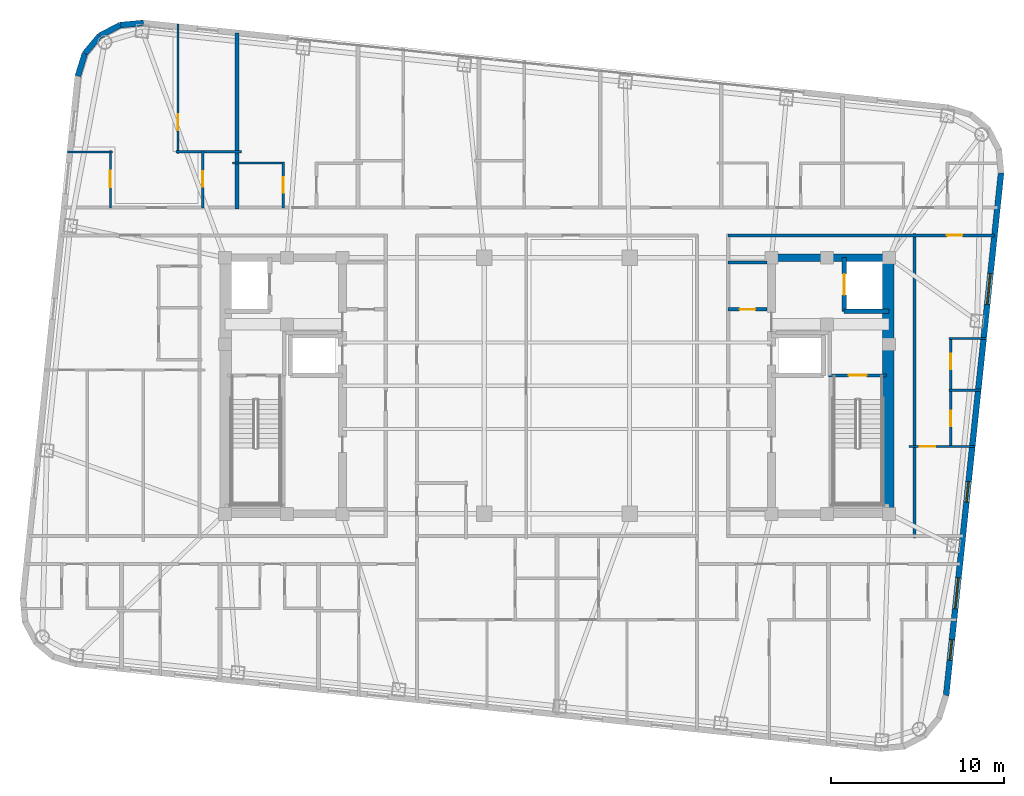
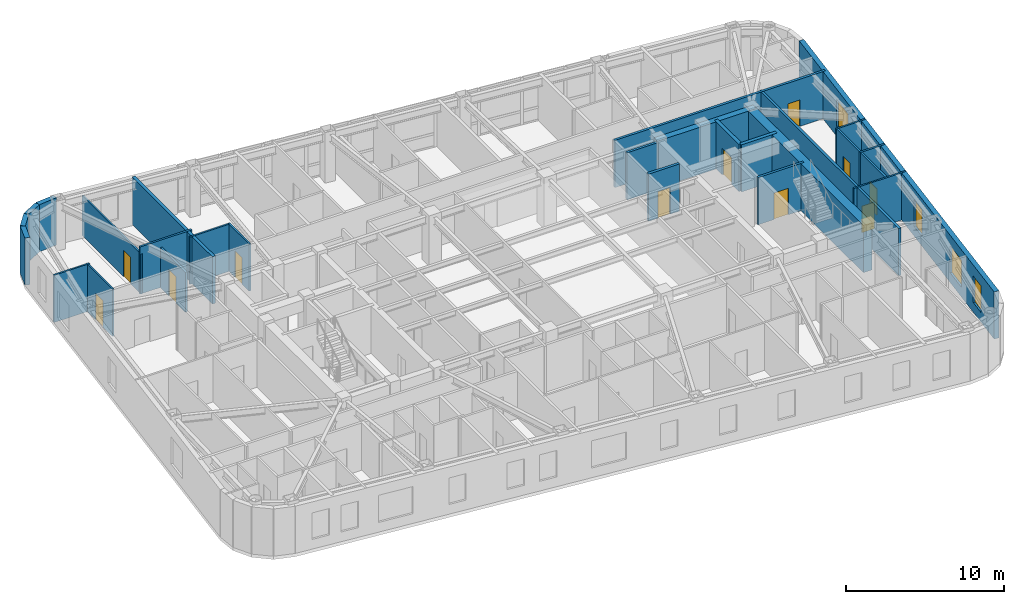
# One storey, part 12 of 16: 27 walls, 11 doors, 4 windows, 15 openings.
"""IFC4 building model written with IfcOpenShell, lengths in metres."""

from ifc_helpers import new_model, si_unit, direction, frame, frame_2d, origin, place, context, subcontext, project, spatial, rectangle, extrude, material, layer, layer_set, type_object, element, fill, save


model = new_model("IFC4")

# Units and contexts
model_context = context("Model", 3, precision=1e-05, world=origin(), true_north=direction((0.0, 1.0)))
body_context = subcontext(model_context, "Body", "Model", "MODEL_VIEW")
ifc_project = project(units=[si_unit("LENGTHUNIT", "METRE"), si_unit("AREAUNIT", "SQUARE_METRE"), si_unit("VOLUMEUNIT", "CUBIC_METRE"), si_unit("PLANEANGLEUNIT", "RADIAN"), si_unit("MASSUNIT", "GRAM", prefix="KILO")], contexts=[model_context])

# Site, building, storey
site_placement = place(None, origin())
site = spatial("IfcSite", under=ifc_project, at=site_placement, CompositionType="ELEMENT")
building_placement = place(site_placement, origin())
building = spatial("IfcBuilding", under=site, at=building_placement, Name="Voryun Gate Residences", CompositionType="ELEMENT")
storey_placement = place(building_placement, frame((0.0, 0.0, 267.800048828125)))
storey = spatial("IfcBuildingStorey", under=building, at=storey_placement, Name="L66", CompositionType="ELEMENT", Elevation=267.800048828125)

# Walls
ifc_material_1 = material(Name="Concrete C50/60", Category="concrete")
ifc_layer_1 = layer(ifc_material_1, 0.449951171875, Name="CW_CORE_450")
ifc_layer_set_1 = layer_set([ifc_layer_1], Name="Concrete C50/60")
wall_type_1 = type_object("IfcWallType", Name="CW_CORE_450", PredefinedType="SHEAR", material=ifc_layer_set_1)
wall_1_placement = place(storey_placement, frame((12.175048828125, 7.39990234375, 0.0), z_axis=(0.0, 0.0, 1.0), x_axis=(1.0, 0.0, 0.0)))
element("IfcWall", 1, at=wall_1_placement, inside=storey, type_object=wall_type_1, Name="L66 Core shear wall CW-L66-EN", PredefinedType="SHEAR", context=body_context, shape_type="SweptSolid", body=[
    extrude(rectangle(XDim=7.25, YDim=0.449951171875, at=frame_2d((3.625, 0.0))), origin(), (0.0, 0.0, 1.0), 3.64990234375),
])
ifc_material_2 = material(Name="Concrete C60/75", Category="concrete")
ifc_layer_2 = layer(ifc_material_2, 0.64990234375, Name="CW_CORE_650")
ifc_layer_set_2 = layer_set([ifc_layer_2], Name="Concrete C60/75")
wall_type_2 = type_object("IfcWallType", Name="CW_CORE_650", PredefinedType="SHEAR", material=ifc_layer_set_2)
wall_2_placement = place(storey_placement, frame((19.14501953125, -7.39990234375, 0.0), z_axis=(0.0, 0.0, 1.0), x_axis=(0.0, 1.0, 0.0)))
element("IfcWall", 2, at=wall_2_placement, inside=storey, type_object=wall_type_2, Name="L66 Core shear wall CW-L66-EE", PredefinedType="SHEAR", context=body_context, shape_type="SweptSolid", body=[
    extrude(rectangle(XDim=14.7998046875, YDim=0.64990234375, at=frame_2d((7.39990234375, 0.0))), origin(), (0.0, 0.0, 1.0), 3.64990234375),
])

# Wall, opening, door
ifc_material_3 = material(Name="Gypsum acoustic fireboard")
ifc_layer_3 = layer(ifc_material_3, 0.179931640625, Name="W_CORR_RATED_180")
ifc_layer_set_3 = layer_set([ifc_layer_3], Name="Gypsum acoustic fireboard")
wall_type_3 = type_object("IfcWallType", Name="W_CORR_RATED_180", PredefinedType="PARTITIONING", material=ifc_layer_set_3)
wall_3_placement = place(storey_placement, frame((15.699951171875, 0.60009765625, 0.0), z_axis=(0.0, 0.0, 1.0), x_axis=(1.0, 0.0, 0.0)))
wall_3 = element("IfcWall", 3, at=wall_3_placement, inside=storey, type_object=wall_type_3, Name="Partition wall WP-L66-STV-E", PredefinedType="PARTITIONING", context=body_context, shape_type="SweptSolid", body=[
    extrude(rectangle(XDim=3.360107421875, YDim=0.179931640625, at=frame_2d((1.68017578125, 0.0))), origin(), (0.0, 0.0, 1.0), 3.64990234375),
])
opening_1_placement = place(wall_3_placement, frame((1.155029296875, 0.0, 0.0)))
opening_1 = element("IfcOpeningElement", 4, at=opening_1_placement, cuts=wall_3, Name="Opening D-FD60-1", PredefinedType="OPENING", context=body_context, shape_type="SweptSolid", body=[
    extrude(rectangle(XDim=1.050048828125, YDim=2.050048828125, at=frame_2d((0.52490234375, 1.02490234375))), frame((0.0, 0.099853515625, 0.0), z_axis=(0.0, -1.0, 0.0), x_axis=(1.0, 0.0, 0.0)), (0.0, 0.0, 1.0), 0.199951171875),
])
ifc_material_4 = material(Name="Painted steel fire door", Category="steel")
door_type_1 = type_object("IfcDoorType", Name="DR_FD60_STAIR_1050", OperationType="NOTDEFINED", PredefinedType="DOOR", material=ifc_material_4)
door_1_placement = place(opening_1_placement, origin())
door_1 = element("IfcDoor", 5, at=door_1_placement, inside=storey, type_object=door_type_1, Name="Door DR-L66-ST-E", OperationType="SINGLE_SWING_RIGHT", OverallHeight=2.050048828125, OverallWidth=1.050048828125, PredefinedType="DOOR", context=body_context, shape_type="SweptSolid", body=[
    extrude(rectangle(XDim=1.050048828125, YDim=2.050048828125, at=frame_2d((0.52490234375, 1.02490234375))), frame((0.0, 0.02490234375, 0.0), z_axis=(0.0, -1.0, 0.0), x_axis=(1.0, 0.0, 0.0)), (0.0, 0.0, 1.0), 0.050048828125),
])
fill(opening_1, door_1)

# Wall
wall_4_placement = place(storey_placement, frame((9.8798828125, 7.1201171875, 0.0), z_axis=(0.0, 0.0, 1.0), x_axis=(1.0, 0.0, 0.0)))
element("IfcWall", 6, at=wall_4_placement, inside=storey, type_object=wall_type_3, Name="Partition wall WP-L66-PLBN-E", PredefinedType="PARTITIONING", context=body_context, shape_type="SweptSolid", body=[
    extrude(rectangle(XDim=2.27001953125, YDim=0.179931640625, at=frame_2d((1.135009765625, 0.0))), origin(), (0.0, 0.0, 1.0), 3.64990234375),
])

# Wall, opening, door
wall_5_placement = place(storey_placement, frame((9.8798828125, 8.68994140625, 0.0), z_axis=(0.0, 0.0, 1.0), x_axis=(1.0, 0.0, 0.0)))
wall_5 = element("IfcWall", 7, at=wall_5_placement, inside=storey, type_object=wall_type_3, Name="Partition wall WP-L66-CWING-EN", PredefinedType="PARTITIONING", context=body_context, shape_type="SweptSolid", body=[
    extrude(rectangle(XDim=15.4111328125, YDim=0.179931640625, at=frame_2d((7.70556640625, 0.0))), origin(), (0.0, 0.0, 1.0), 3.64990234375),
])
opening_2_placement = place(wall_5_placement, frame((12.655517578125, 0.0, 0.0)))
opening_2 = element("IfcOpeningElement", 8, at=opening_2_placement, cuts=wall_5, Name="Opening D-INT-2", PredefinedType="OPENING", context=body_context, shape_type="SweptSolid", body=[
    extrude(rectangle(XDim=0.89990234375, YDim=2.050048828125, at=frame_2d((0.449951171875, 1.02490234375))), frame((0.0, 0.099853515625, 0.0), z_axis=(0.0, -1.0, 0.0), x_axis=(1.0, 0.0, 0.0)), (0.0, 0.0, 1.0), 0.199951171875),
])
ifc_material_5 = material(Name="Architectural oak veneer")
door_type_2 = type_object("IfcDoorType", Name="DR_INT_BATH_900", OperationType="NOTDEFINED", PredefinedType="DOOR", material=ifc_material_5)
door_2_placement = place(opening_2_placement, origin())
door_2 = element("IfcDoor", 9, at=door_2_placement, inside=storey, type_object=door_type_2, Name="Door DR-L66-EE1N", OperationType="SINGLE_SWING_LEFT", OverallHeight=2.050048828125, OverallWidth=0.89990234375, PredefinedType="DOOR", context=body_context, shape_type="SweptSolid", body=[
    extrude(rectangle(XDim=0.89990234375, YDim=2.050048828125, at=frame_2d((0.449951171875, 1.02490234375))), frame((0.0, 0.02490234375, 0.0), z_axis=(0.0, -1.0, 0.0), x_axis=(1.0, 0.0, 0.0)), (0.0, 0.0, 1.0), 0.050048828125),
])
fill(opening_2, door_2)

# Walls
wall_6_placement = place(storey_placement, frame((20.669921875, -8.81005859375, 0.0), z_axis=(0.0, 0.0, 1.0), x_axis=(0.0, 1.0, 0.0)))
element("IfcWall", 10, at=wall_6_placement, inside=storey, type_object=wall_type_3, Name="Partition wall WP-L66-ECOR", PredefinedType="PARTITIONING", context=body_context, shape_type="SweptSolid", body=[
    extrude(rectangle(XDim=17.6201171875, YDim=0.179931640625, at=frame_2d((8.81005859375, 0.0))), origin(), (0.0, 0.0, 1.0), 3.64990234375),
])
ifc_material_6 = material(Name="Charcoal terracotta masonry", Category="masonry")
ifc_layer_4 = layer(ifc_material_6, 0.340087890625, Name="W_EXT_TERRACOTTA_340")
ifc_layer_set_4 = layer_set([ifc_layer_4], Name="Charcoal terracotta masonry")
wall_type_4 = type_object("IfcWallType", Name="W_EXT_TERRACOTTA_340", PredefinedType="ELEMENTEDWALL", material=ifc_layer_set_4)
wall_7_placement = place(storey_placement, frame((-27.69580078125, 17.904541015625, 0.0), z_axis=(0.0, 0.0, 1.0), x_axis=(0.296416228123, 0.955058856671, 0.0)))
element("IfcWall", 11, at=wall_7_placement, inside=storey, type_object=wall_type_4, Name="Exterior wall WEXT-L66-07", PredefinedType="ELEMENTEDWALL", context=body_context, shape_type="SweptSolid", body=[
    extrude(rectangle(XDim=1.35400390625, YDim=0.340087890625, at=frame_2d((0.677001953125, 0.0))), origin(), (0.0, 0.0, 1.0), 3.64990234375),
])
wall_8_placement = place(storey_placement, frame((-27.29443359375, 19.19775390625, 0.0), z_axis=(0.0, 0.0, 1.0), x_axis=(0.639501603217, 0.768789762863, 0.0)))
element("IfcWall", 12, at=wall_8_placement, inside=storey, type_object=wall_type_4, Name="Exterior wall WEXT-L66-08", PredefinedType="ELEMENTEDWALL", context=body_context, shape_type="SweptSolid", body=[
    extrude(rectangle(XDim=1.3369140625, YDim=0.340087890625, at=frame_2d((0.66845703125, 0.0))), origin(), (0.0, 0.0, 1.0), 3.64990234375),
])
wall_9_placement = place(storey_placement, frame((-26.439453125, 20.2255859375, 0.0), z_axis=(0.0, 0.0, 1.0), x_axis=(0.884922182678, 0.465738908193, 0.0)))
element("IfcWall", 13, at=wall_9_placement, inside=storey, type_object=wall_type_4, Name="Exterior wall WEXT-L66-09", PredefinedType="ELEMENTEDWALL", context=body_context, shape_type="SweptSolid", body=[
    extrude(rectangle(XDim=1.337158203125, YDim=0.340087890625, at=frame_2d((0.66845703125, 0.0))), origin(), (0.0, 0.0, 1.0), 3.64990234375),
])
wall_10_placement = place(storey_placement, frame((-25.256103515625, 20.848388671875, 0.0), z_axis=(0.0, 0.0, 1.0), x_axis=(0.995813013343, 0.091413579172, 0.0)))
element("IfcWall", 14, at=wall_10_placement, inside=storey, type_object=wall_type_4, Name="Exterior wall WEXT-L66-10", PredefinedType="ELEMENTEDWALL", context=body_context, shape_type="SweptSolid", body=[
    extrude(rectangle(XDim=1.35400390625, YDim=0.340087890625, at=frame_2d((0.677001953125, 0.0))), origin(), (0.0, 0.0, 1.0), 3.64990234375),
])

# Wall, openings, windows
wall_11_placement = place(storey_placement, frame((25.670166015625, 12.295654296875, 0.0), z_axis=(0.0, 0.0, 1.0), x_axis=(-0.104533282919, -0.994521388791, 0.0)))
wall_11 = element("IfcWall", 15, at=wall_11_placement, inside=storey, type_object=wall_type_4, Name="Exterior wall WEXT-L66-16", PredefinedType="ELEMENTEDWALL", context=body_context, shape_type="SweptSolid", body=[
    extrude(rectangle(XDim=30.366455078125, YDim=0.340087890625, at=frame_2d((15.18310546875, 0.0))), origin(), (0.0, 0.0, 1.0), 3.64990234375),
])
opening_3_placement = place(wall_11_placement, frame((5.841552734375, 0.0, 0.75)))
opening_3 = element("IfcOpeningElement", 16, at=opening_3_placement, cuts=wall_11, Name="Opening WN1", PredefinedType="OPENING", context=body_context, shape_type="SweptSolid", body=[
    extrude(rectangle(XDim=1.800048828125, YDim=2.10009765625, at=frame_2d((0.89990234375, 1.050048828125))), frame((0.0, 0.179931640625, 0.0), z_axis=(0.0, -1.0, 0.0), x_axis=(1.0, 0.0, 0.0)), (0.0, 0.0, 1.0), 0.360107421875),
])
opening_4_placement = place(wall_11_placement, frame((23.52490234375, 0.0, 0.75)))
opening_4 = element("IfcOpeningElement", 17, at=opening_4_placement, cuts=wall_11, Name="Opening WN1", PredefinedType="OPENING", context=body_context, shape_type="SweptSolid", body=[
    extrude(rectangle(XDim=1.800048828125, YDim=2.10009765625, at=frame_2d((0.89990234375, 1.050048828125))), frame((0.0, 0.179931640625, 0.0), z_axis=(0.0, -1.0, 0.0), x_axis=(1.0, 0.0, 0.0)), (0.0, 0.0, 1.0), 0.360107421875),
])
opening_5_placement = place(wall_11_placement, frame((27.116943359375, 0.0, 0.75)))
opening_5 = element("IfcOpeningElement", 18, at=opening_5_placement, cuts=wall_11, Name="Opening WN6", PredefinedType="OPENING", context=body_context, shape_type="SweptSolid", body=[
    extrude(rectangle(XDim=1.199951171875, YDim=2.050048828125, at=frame_2d((0.60009765625, 1.02490234375))), frame((0.0, 0.179931640625, 0.0), z_axis=(0.0, -1.0, 0.0), x_axis=(1.0, 0.0, 0.0)), (0.0, 0.0, 1.0), 0.360107421875),
])
opening_6_placement = place(wall_11_placement, frame((17.929443359375, 0.0, 0.75)))
opening_6 = element("IfcOpeningElement", 19, at=opening_6_placement, cuts=wall_11, Name="Opening WN6", PredefinedType="OPENING", context=body_context, shape_type="SweptSolid", body=[
    extrude(rectangle(XDim=1.199951171875, YDim=2.050048828125, at=frame_2d((0.60009765625, 1.02490234375))), frame((0.0, 0.179931640625, 0.0), z_axis=(0.0, -1.0, 0.0), x_axis=(1.0, 0.0, 0.0)), (0.0, 0.0, 1.0), 0.360107421875),
])
ifc_material_7 = material(Name="Laminated low-E glass", Category="glass")
window_type_1 = type_object("IfcWindowType", Name="WN_POD_SLOT_1200", PartitioningType="SINGLE_PANEL", PredefinedType="WINDOW", material=ifc_material_7)
window_1_placement = place(opening_5_placement, origin())
window_1 = element("IfcWindow", 20, at=window_1_placement, inside=storey, type_object=window_type_1, Name="Window WN-L66-DWFIX-12", OverallHeight=2.050048828125, OverallWidth=1.199951171875, PartitioningType="SINGLE_PANEL", PredefinedType="WINDOW", context=body_context, shape_type="SweptSolid", body=[
    extrude(rectangle(XDim=1.199951171875, YDim=2.050048828125, at=frame_2d((0.60009765625, 1.02490234375))), frame((0.0, 0.030029296875, 0.0), z_axis=(0.0, -1.0, 0.0), x_axis=(1.0, 0.0, 0.0)), (0.0, 0.0, 1.0), 0.06005859375),
])
fill(opening_5, window_1)
window_2_placement = place(opening_6_placement, origin())
window_2 = element("IfcWindow", 21, at=window_2_placement, inside=storey, type_object=window_type_1, Name="Window WN-L66-DWFIX-17", OverallHeight=2.050048828125, OverallWidth=1.199951171875, PartitioningType="SINGLE_PANEL", PredefinedType="WINDOW", context=body_context, shape_type="SweptSolid", body=[
    extrude(rectangle(XDim=1.199951171875, YDim=2.050048828125, at=frame_2d((0.60009765625, 1.02490234375))), frame((0.0, 0.030029296875, 0.0), z_axis=(0.0, -1.0, 0.0), x_axis=(1.0, 0.0, 0.0)), (0.0, 0.0, 1.0), 0.06005859375),
])
fill(opening_6, window_2)
ifc_material_8 = material(Name="Laminated low-E glass", Category="glass")
window_type_2 = type_object("IfcWindowType", Name="WN_RES_PUNCH_1800", PartitioningType="SINGLE_PANEL", PredefinedType="WINDOW", material=ifc_material_8)
window_3_placement = place(opening_3_placement, origin())
window_3 = element("IfcWindow", 22, at=window_3_placement, inside=storey, type_object=window_type_2, Name="Window WN-WEXT-L66-16-01", OverallHeight=2.10009765625, OverallWidth=1.800048828125, PartitioningType="SINGLE_PANEL", PredefinedType="WINDOW", context=body_context, shape_type="SweptSolid", body=[
    extrude(rectangle(XDim=1.800048828125, YDim=2.10009765625, at=frame_2d((0.89990234375, 1.050048828125))), frame((0.0, 0.030029296875, 0.0), z_axis=(0.0, -1.0, 0.0), x_axis=(1.0, 0.0, 0.0)), (0.0, 0.0, 1.0), 0.06005859375),
])
fill(opening_3, window_3)
window_4_placement = place(opening_4_placement, origin())
window_4 = element("IfcWindow", 23, at=window_4_placement, inside=storey, type_object=window_type_2, Name="Window WN-WEXT-L66-16-02", OverallHeight=2.10009765625, OverallWidth=1.800048828125, PartitioningType="SINGLE_PANEL", PredefinedType="WINDOW", context=body_context, shape_type="SweptSolid", body=[
    extrude(rectangle(XDim=1.800048828125, YDim=2.10009765625, at=frame_2d((0.89990234375, 1.050048828125))), frame((0.0, 0.030029296875, 0.0), z_axis=(0.0, -1.0, 0.0), x_axis=(1.0, 0.0, 0.0)), (0.0, 0.0, 1.0), 0.06005859375),
])
fill(opening_4, window_4)

# Wall, opening, door
ifc_material_9 = material(Name="Concrete C40/50", Category="concrete")
ifc_layer_5 = layer(ifc_material_9, 0.199951171875, Name="W_FF_LOBBY_200")
ifc_layer_set_5 = layer_set([ifc_layer_5], Name="Concrete C40/50")
wall_type_5 = type_object("IfcWallType", Name="W_FF_LOBBY_200", PredefinedType="PARTITIONING", material=ifc_layer_set_5)
wall_12_placement = place(storey_placement, frame((9.8798828125, 4.409912109375, 0.0), z_axis=(0.0, 0.0, 1.0), x_axis=(1.0, 0.0, 0.0)))
wall_12 = element("IfcWall", 24, at=wall_12_placement, inside=storey, type_object=wall_type_5, Name="Partition wall WP-L66-CSFLKS-E", PredefinedType="PARTITIONING", context=body_context, shape_type="SweptSolid", body=[
    extrude(rectangle(XDim=2.27001953125, YDim=0.199951171875, at=frame_2d((1.135009765625, 0.0))), origin(), (0.0, 0.0, 1.0), 3.64990234375),
])
opening_7_placement = place(wall_12_placement, frame((0.68505859375, 0.0, 0.0)))
opening_7 = element("IfcOpeningElement", 25, at=opening_7_placement, cuts=wall_12, Name="Opening D-FD60-4", PredefinedType="OPENING", context=body_context, shape_type="SweptSolid", body=[
    extrude(rectangle(XDim=0.89990234375, YDim=2.050048828125, at=frame_2d((0.449951171875, 1.02490234375))), frame((0.0, 0.110107421875, 0.0), z_axis=(0.0, -1.0, 0.0), x_axis=(1.0, 0.0, 0.0)), (0.0, 0.0, 1.0), 0.219970703125),
])
ifc_material_10 = material(Name="Painted steel fire door", Category="steel")
door_type_3 = type_object("IfcDoorType", Name="DR_FD60_RISER_900", OperationType="NOTDEFINED", PredefinedType="DOOR", material=ifc_material_10)
door_3_placement = place(opening_7_placement, origin())
door_3 = element("IfcDoor", 26, at=door_3_placement, inside=storey, type_object=door_type_3, Name="Door DR-L66-CSFLK-E", OperationType="SINGLE_SWING_RIGHT", OverallHeight=2.050048828125, OverallWidth=0.89990234375, PredefinedType="DOOR", context=body_context, shape_type="SweptSolid", body=[
    extrude(rectangle(XDim=0.89990234375, YDim=2.050048828125, at=frame_2d((0.449951171875, 1.02490234375))), frame((0.0, 0.02490234375, 0.0), z_axis=(0.0, -1.0, 0.0), x_axis=(1.0, 0.0, 0.0)), (0.0, 0.0, 1.0), 0.050048828125),
])
fill(opening_7, door_3)

# Walls
ifc_material_11 = material(Name="Concrete C40/50", Category="concrete")
ifc_layer_6 = layer(ifc_material_11, 0.219970703125, Name="W_PARTY_ACOUSTIC_220")
ifc_layer_set_6 = layer_set([ifc_layer_6], Name="Concrete C40/50")
wall_type_6 = type_object("IfcWallType", Name="W_PARTY_ACOUSTIC_220", PredefinedType="PARTITIONING", material=ifc_layer_set_6)
wall_13_placement = place(storey_placement, frame((-18.5, 10.219970703125, 0.0), z_axis=(0.0, 0.0, 1.0), x_axis=(0.0, 1.0, 0.0)))
element("IfcWall", 27, at=wall_13_placement, inside=storey, type_object=wall_type_6, Name="Partition wall WP-L66-NPTY-1", PredefinedType="PARTITIONING", context=body_context, shape_type="SweptSolid", body=[
    extrude(rectangle(XDim=10.183837890625, YDim=0.219970703125, at=frame_2d((5.091796875, 0.0))), origin(), (0.0, 0.0, 1.0), 3.64990234375),
])
ifc_material_12 = material(Name="Concrete C50/60", Category="concrete")
ifc_layer_7 = layer(ifc_material_12, 0.25, Name="W_SHAFT_RC250")
ifc_layer_set_7 = layer_set([ifc_layer_7], Name="Concrete C50/60")
wall_type_7 = type_object("IfcWallType", Name="W_SHAFT_RC250", PredefinedType="SOLIDWALL", material=ifc_layer_set_7)
wall_14_placement = place(storey_placement, frame((16.60009765625, 4.300048828125, 0.0), z_axis=(0.0, 0.0, 1.0), x_axis=(1.0, 0.0, 0.0)))
element("IfcWall", 28, at=wall_14_placement, inside=storey, type_object=wall_type_7, Name="Lift shaft wall WSH-L66-EL-FF-E1-S", PredefinedType="SOLIDWALL", context=body_context, shape_type="SweptSolid", body=[
    extrude(rectangle(XDim=2.599853515625, YDim=0.25, at=frame_2d((1.2998046875, 0.0))), origin(), (0.0, 0.0, 1.0), 3.64990234375),
])

# Wall, opening, door
wall_15_placement = place(storey_placement, frame((16.60009765625, 7.39990234375, 0.0), z_axis=(0.0, 0.0, 1.0), x_axis=(0.0, -1.0, 0.0)))
wall_15 = element("IfcWall", 29, at=wall_15_placement, inside=storey, type_object=wall_type_7, Name="Lift shaft wall WSH-L66-EL-FF-E1-W", PredefinedType="SOLIDWALL", context=body_context, shape_type="SweptSolid", body=[
    extrude(rectangle(XDim=3.099853515625, YDim=0.25, at=frame_2d((1.5498046875, 0.0))), origin(), (0.0, 0.0, 1.0), 3.64990234375),
])
opening_8_placement = place(wall_15_placement, frame((0.949951171875, 0.0, 0.0)))
opening_8 = element("IfcOpeningElement", 30, at=opening_8_placement, cuts=wall_15, Name="Opening LD1", PredefinedType="OPENING", context=body_context, shape_type="SweptSolid", body=[
    extrude(rectangle(XDim=1.199951171875, YDim=2.050048828125, at=frame_2d((0.60009765625, 1.02490234375))), frame((0.0, 0.135009765625, 0.0), z_axis=(0.0, -1.0, 0.0), x_axis=(1.0, 0.0, 0.0)), (0.0, 0.0, 1.0), 0.27001953125),
])
ifc_material_13 = material(Name="Anodised aluminium", Category="aluminium")
door_type_4 = type_object("IfcDoorType", Name="DR_LD_FF_1200", OperationType="NOTDEFINED", PredefinedType="DOOR", material=ifc_material_13)
door_4_placement = place(opening_8_placement, origin())
door_4 = element("IfcDoor", 31, at=door_4_placement, inside=storey, type_object=door_type_4, Name="Lift EL-FF-E1 sliding landing door L66", OperationType="SLIDING_TO_LEFT", OverallHeight=2.050048828125, OverallWidth=1.199951171875, PredefinedType="DOOR", context=body_context, shape_type="SweptSolid", body=[
    extrude(rectangle(XDim=1.199951171875, YDim=2.050048828125, at=frame_2d((0.60009765625, 1.02490234375))), frame((0.0, 0.02490234375, 0.0), z_axis=(0.0, -1.0, 0.0), x_axis=(1.0, 0.0, 0.0)), (0.0, 0.0, 1.0), 0.050048828125),
])
fill(opening_8, door_4)

ifc_material_14 = material(Name="Gypsum acoustic partition")
ifc_layer_8 = layer(ifc_material_14, 0.125, Name="W_UNIT_PART_125")
ifc_layer_set_8 = layer_set([ifc_layer_8], Name="Gypsum acoustic partition")
wall_type_8 = type_object("IfcWallType", Name="W_UNIT_PART_125", PredefinedType="PARTITIONING", material=ifc_layer_set_8)
wall_16_placement = place(storey_placement, frame((-21.909912109375, 13.43994140625, 0.0), z_axis=(0.0, 0.0, 1.0), x_axis=(0.0, 1.0, 0.0)))
wall_16 = element("IfcWall", 32, at=wall_16_placement, inside=storey, type_object=wall_type_8, Name="Partition wall WP-L66-N1-OVR", PredefinedType="PARTITIONING", context=body_context, shape_type="SweptSolid", body=[
    extrude(rectangle(XDim=7.47314453125, YDim=0.125, at=frame_2d((3.736572265625, 0.0))), origin(), (0.0, 0.0, 1.0), 3.08984375),
])
opening_9_placement = place(wall_16_placement, frame((1.343505859375, 0.0, 0.0)))
opening_9 = element("IfcOpeningElement", 33, at=opening_9_placement, cuts=wall_16, Name="Opening D-INT-2", PredefinedType="OPENING", context=body_context, shape_type="SweptSolid", body=[
    extrude(rectangle(XDim=0.89990234375, YDim=2.050048828125, at=frame_2d((0.449951171875, 1.02490234375))), frame((0.0, 0.072509765625, 0.0), z_axis=(0.0, -1.0, 0.0), x_axis=(1.0, 0.0, 0.0)), (0.0, 0.0, 1.0), 0.14501953125),
])
door_5_placement = place(opening_9_placement, origin())
door_5 = element("IfcDoor", 34, at=door_5_placement, inside=storey, type_object=door_type_2, Name="Door DR-L66-N1-DMB", OperationType="SINGLE_SWING_RIGHT", OverallHeight=2.050048828125, OverallWidth=0.89990234375, PredefinedType="DOOR", context=body_context, shape_type="SweptSolid", body=[
    extrude(rectangle(XDim=0.89990234375, YDim=2.050048828125, at=frame_2d((0.449951171875, 1.02490234375))), frame((0.0, 0.02490234375, 0.0), z_axis=(0.0, -1.0, 0.0), x_axis=(1.0, 0.0, 0.0)), (0.0, 0.0, 1.0), 0.050048828125),
])
fill(opening_9, door_5)

wall_17_placement = place(storey_placement, frame((-25.81591796875, 10.280029296875, 0.0), z_axis=(0.0, 0.0, 1.0), x_axis=(0.0, 1.0, 0.0)))
wall_17 = element("IfcWall", 35, at=wall_17_placement, inside=storey, type_object=wall_type_8, Name="Partition wall WP-L66-N1-IVK", PredefinedType="PARTITIONING", context=body_context, shape_type="SweptSolid", body=[
    extrude(rectangle(XDim=3.320068359375, YDim=0.125, at=frame_2d((1.66015625, 0.0))), origin(), (0.0, 0.0, 1.0), 3.64990234375),
])
opening_10_placement = place(wall_17_placement, frame((1.18505859375, 0.0, 0.0)))
opening_10 = element("IfcOpeningElement", 36, at=opening_10_placement, cuts=wall_17, Name="Opening D-INT-1", PredefinedType="OPENING", context=body_context, shape_type="SweptSolid", body=[
    extrude(rectangle(XDim=0.949951171875, YDim=2.050048828125, at=frame_2d((0.47509765625, 1.02490234375))), frame((0.0, 0.072509765625, 0.0), z_axis=(0.0, -1.0, 0.0), x_axis=(1.0, 0.0, 0.0)), (0.0, 0.0, 1.0), 0.14501953125),
])
ifc_material_15 = material(Name="Architectural oak veneer")
door_type_5 = type_object("IfcDoorType", Name="DR_INT_ROOM_950", OperationType="NOTDEFINED", PredefinedType="DOOR", material=ifc_material_15)
door_6_placement = place(opening_10_placement, origin())
door_6 = element("IfcDoor", 37, at=door_6_placement, inside=storey, type_object=door_type_5, Name="Door DR-L66-N1-DK", OperationType="SINGLE_SWING_LEFT", OverallHeight=2.050048828125, OverallWidth=0.949951171875, PredefinedType="DOOR", context=body_context, shape_type="SweptSolid", body=[
    extrude(rectangle(XDim=0.949951171875, YDim=2.050048828125, at=frame_2d((0.47509765625, 1.02490234375))), frame((0.0, 0.02490234375, 0.0), z_axis=(0.0, -1.0, 0.0), x_axis=(1.0, 0.0, 0.0)), (0.0, 0.0, 1.0), 0.050048828125),
])
fill(opening_10, door_6)

# Wall
wall_18_placement = place(storey_placement, frame((-28.3076171875, 13.52001953125, 0.0), z_axis=(0.0, 0.0, 1.0), x_axis=(1.0, 0.0, 0.0)))
element("IfcWall", 38, at=wall_18_placement, inside=storey, type_object=wall_type_8, Name="Partition wall WP-L66-N1-HZK", PredefinedType="PARTITIONING", context=body_context, shape_type="SweptSolid", body=[
    extrude(rectangle(XDim=2.611572265625, YDim=0.125, at=frame_2d((1.3056640625, 0.0))), origin(), (0.0, 0.0, 1.0), 3.64990234375),
])

# Wall, opening, door
wall_19_placement = place(storey_placement, frame((-15.825927734375, 10.280029296875, 0.0), z_axis=(0.0, 0.0, 1.0), x_axis=(0.0, 1.0, 0.0)))
wall_19 = element("IfcWall", 39, at=wall_19_placement, inside=storey, type_object=wall_type_8, Name="Partition wall WP-L66-N2-CVK", PredefinedType="PARTITIONING", context=body_context, shape_type="SweptSolid", body=[
    extrude(rectangle(XDim=2.64990234375, YDim=0.125, at=frame_2d((1.324951171875, 0.0))), origin(), (0.0, 0.0, 1.0), 3.64990234375),
])
opening_11_placement = place(wall_19_placement, frame((0.875, 0.0, 0.0)))
opening_11 = element("IfcOpeningElement", 40, at=opening_11_placement, cuts=wall_19, Name="Opening D-INT-2", PredefinedType="OPENING", context=body_context, shape_type="SweptSolid", body=[
    extrude(rectangle(XDim=0.89990234375, YDim=2.050048828125, at=frame_2d((0.449951171875, 1.02490234375))), frame((0.0, 0.072509765625, 0.0), z_axis=(0.0, -1.0, 0.0), x_axis=(1.0, 0.0, 0.0)), (0.0, 0.0, 1.0), 0.14501953125),
])
door_7_placement = place(opening_11_placement, origin())
door_7 = element("IfcDoor", 41, at=door_7_placement, inside=storey, type_object=door_type_2, Name="Door DR-L66-N2-DK", OperationType="SINGLE_SWING_LEFT", OverallHeight=2.050048828125, OverallWidth=0.89990234375, PredefinedType="DOOR", context=body_context, shape_type="SweptSolid", body=[
    extrude(rectangle(XDim=0.89990234375, YDim=2.050048828125, at=frame_2d((0.449951171875, 1.02490234375))), frame((0.0, 0.02490234375, 0.0), z_axis=(0.0, -1.0, 0.0), x_axis=(1.0, 0.0, 0.0)), (0.0, 0.0, 1.0), 0.050048828125),
])
fill(opening_11, door_7)

# Walls
wall_20_placement = place(storey_placement, frame((-18.760009765625, 12.8701171875, 0.0), z_axis=(0.0, 0.0, 1.0), x_axis=(1.0, 0.0, 0.0)))
element("IfcWall", 42, at=wall_20_placement, inside=storey, type_object=wall_type_8, Name="Partition wall WP-L66-N2-CHK", PredefinedType="PARTITIONING", context=body_context, shape_type="SweptSolid", body=[
    extrude(rectangle(XDim=2.993896484375, YDim=0.125, at=frame_2d((1.4970703125, 0.0))), origin(), (0.0, 0.0, 1.0), 3.64990234375),
])
wall_21_placement = place(storey_placement, frame((22.673095703125, 2.739990234375, 0.0), z_axis=(0.0, 0.0, 1.0), x_axis=(1.0, 0.0, 0.0)))
element("IfcWall", 43, at=wall_21_placement, inside=storey, type_object=wall_type_8, Name="Partition wall WP-L66-E1-HZ1", PredefinedType="PARTITIONING", context=body_context, shape_type="SweptSolid", body=[
    extrude(rectangle(XDim=2.1435546875, YDim=0.125, at=frame_2d((1.07177734375, 0.0))), origin(), (0.0, 0.0, 1.0), 3.64990234375),
])

# Wall, opening, door
wall_22_placement = place(storey_placement, frame((20.35009765625, -3.510009765625, 0.0), z_axis=(0.0, 0.0, 1.0), x_axis=(1.0, 0.0, 0.0)))
wall_22 = element("IfcWall", 44, at=wall_22_placement, inside=storey, type_object=wall_type_8, Name="Partition wall WP-L66-E1-HZ3", PredefinedType="PARTITIONING", context=body_context, shape_type="SweptSolid", body=[
    extrude(rectangle(XDim=3.8095703125, YDim=0.125, at=frame_2d((1.90478515625, 0.0))), origin(), (0.0, 0.0, 1.0), 3.64990234375),
])
opening_12_placement = place(wall_22_placement, frame((0.608154296875, 0.0, 0.0)))
opening_12 = element("IfcOpeningElement", 45, at=opening_12_placement, cuts=wall_22, Name="Opening D-INT-2", PredefinedType="OPENING", context=body_context, shape_type="SweptSolid", body=[
    extrude(rectangle(XDim=0.89990234375, YDim=2.050048828125, at=frame_2d((0.449951171875, 1.02490234375))), frame((0.0, 0.072509765625, 0.0), z_axis=(0.0, -1.0, 0.0), x_axis=(1.0, 0.0, 0.0)), (0.0, 0.0, 1.0), 0.14501953125),
])
door_8_placement = place(opening_12_placement, origin())
door_8 = element("IfcDoor", 46, at=door_8_placement, inside=storey, type_object=door_type_2, Name="Door DR-L66-E1-DMB", OperationType="SINGLE_SWING_LEFT", OverallHeight=2.050048828125, OverallWidth=0.89990234375, PredefinedType="DOOR", context=body_context, shape_type="SweptSolid", body=[
    extrude(rectangle(XDim=0.89990234375, YDim=2.050048828125, at=frame_2d((0.449951171875, 1.02490234375))), frame((0.0, 0.02490234375, 0.0), z_axis=(0.0, -1.0, 0.0), x_axis=(1.0, 0.0, 0.0)), (0.0, 0.0, 1.0), 0.050048828125),
])
fill(opening_12, door_8)

# Wall
ifc_material_16 = material(Name="Gypsum moisture-resistant partition")
ifc_layer_9 = layer(ifc_material_16, 0.14990234375, Name="W_WET_PLUMB_150")
ifc_layer_set_9 = layer_set([ifc_layer_9], Name="Gypsum moisture-resistant partition")
wall_type_9 = type_object("IfcWallType", Name="W_WET_PLUMB_150", PredefinedType="PLUMBINGWALL", material=ifc_layer_set_9)
wall_23_placement = place(storey_placement, frame((-22.030029296875, 13.52001953125, 0.0), z_axis=(0.0, 0.0, 1.0), x_axis=(1.0, 0.0, 0.0)))
element("IfcWall", 47, at=wall_23_placement, inside=storey, type_object=wall_type_9, Name="Partition wall WP-L66-N1-HZB", PredefinedType="PLUMBINGWALL", context=body_context, shape_type="SweptSolid", body=[
    extrude(rectangle(XDim=3.7900390625, YDim=0.14990234375, at=frame_2d((1.89501953125, 0.0))), origin(), (0.0, 0.0, 1.0), 3.64990234375),
])

# Wall, opening, door
wall_24_placement = place(storey_placement, frame((-20.47998046875, 10.280029296875, 0.0), z_axis=(0.0, 0.0, 1.0), x_axis=(0.0, 1.0, 0.0)))
wall_24 = element("IfcWall", 48, at=wall_24_placement, inside=storey, type_object=wall_type_9, Name="Partition wall WP-L66-N1-IVB", PredefinedType="PLUMBINGWALL", context=body_context, shape_type="SweptSolid", body=[
    extrude(rectangle(XDim=3.320068359375, YDim=0.14990234375, at=frame_2d((1.66015625, 0.0))), origin(), (0.0, 0.0, 1.0), 3.08984375),
])
opening_13_placement = place(wall_24_placement, frame((1.2099609375, 0.0, 0.0)))
opening_13 = element("IfcOpeningElement", 49, at=opening_13_placement, cuts=wall_24, Name="Opening D-INT-2", PredefinedType="OPENING", context=body_context, shape_type="SweptSolid", body=[
    extrude(rectangle(XDim=0.89990234375, YDim=2.050048828125, at=frame_2d((0.449951171875, 1.02490234375))), frame((0.0, 0.0849609375, 0.0), z_axis=(0.0, -1.0, 0.0), x_axis=(1.0, 0.0, 0.0)), (0.0, 0.0, 1.0), 0.169921875),
])
door_9_placement = place(opening_13_placement, origin())
door_9 = element("IfcDoor", 50, at=door_9_placement, inside=storey, type_object=door_type_2, Name="Door DR-L66-N1-DB", OperationType="SINGLE_SWING_RIGHT", OverallHeight=2.050048828125, OverallWidth=0.89990234375, PredefinedType="DOOR", context=body_context, shape_type="SweptSolid", body=[
    extrude(rectangle(XDim=0.89990234375, YDim=2.050048828125, at=frame_2d((0.449951171875, 1.02490234375))), frame((0.0, 0.02490234375, 0.0), z_axis=(0.0, -1.0, 0.0), x_axis=(1.0, 0.0, 0.0)), (0.0, 0.0, 1.0), 0.050048828125),
])
fill(opening_13, door_9)

# Wall
wall_25_placement = place(storey_placement, frame((22.673095703125, -0.260009765625, 0.0), z_axis=(0.0, 0.0, 1.0), x_axis=(1.0, 0.0, 0.0)))
element("IfcWall", 51, at=wall_25_placement, inside=storey, type_object=wall_type_9, Name="Partition wall WP-L66-E1-HZ2", PredefinedType="PLUMBINGWALL", context=body_context, shape_type="SweptSolid", body=[
    extrude(rectangle(XDim=1.828125, YDim=0.14990234375, at=frame_2d((0.9140625, 0.0))), origin(), (0.0, 0.0, 1.0), 3.64990234375),
])

# Wall, opening, door
wall_26_placement = place(storey_placement, frame((22.7529296875, -3.550048828125, 0.0), z_axis=(0.0, 0.0, 1.0), x_axis=(0.0, 1.0, 0.0)))
wall_26 = element("IfcWall", 52, at=wall_26_placement, inside=storey, type_object=wall_type_9, Name="Partition wall WP-L66-E1-VKB1", PredefinedType="PLUMBINGWALL", context=body_context, shape_type="SweptSolid", body=[
    extrude(rectangle(XDim=3.330078125, YDim=0.14990234375, at=frame_2d((1.6650390625, 0.0))), origin(), (0.0, 0.0, 1.0), 3.64990234375),
])
opening_14_placement = place(wall_26_placement, frame((1.215087890625, 0.0, 0.0)))
opening_14 = element("IfcOpeningElement", 53, at=opening_14_placement, cuts=wall_26, Name="Opening D-INT-2", PredefinedType="OPENING", context=body_context, shape_type="SweptSolid", body=[
    extrude(rectangle(XDim=0.89990234375, YDim=2.050048828125, at=frame_2d((0.449951171875, 1.02490234375))), frame((0.0, 0.0849609375, 0.0), z_axis=(0.0, -1.0, 0.0), x_axis=(1.0, 0.0, 0.0)), (0.0, 0.0, 1.0), 0.169921875),
])
door_10_placement = place(opening_14_placement, origin())
door_10 = element("IfcDoor", 54, at=door_10_placement, inside=storey, type_object=door_type_2, Name="Door DR-L66-E1-DB", OperationType="SINGLE_SWING_LEFT", OverallHeight=2.050048828125, OverallWidth=0.89990234375, PredefinedType="DOOR", context=body_context, shape_type="SweptSolid", body=[
    extrude(rectangle(XDim=0.89990234375, YDim=2.050048828125, at=frame_2d((0.449951171875, 1.02490234375))), frame((0.0, 0.02490234375, 0.0), z_axis=(0.0, -1.0, 0.0), x_axis=(1.0, 0.0, 0.0)), (0.0, 0.0, 1.0), 0.050048828125),
])
fill(opening_14, door_10)

wall_27_placement = place(storey_placement, frame((22.7529296875, -0.300048828125, 0.0), z_axis=(0.0, 0.0, 1.0), x_axis=(0.0, 1.0, 0.0)))
wall_27 = element("IfcWall", 55, at=wall_27_placement, inside=storey, type_object=wall_type_9, Name="Partition wall WP-L66-E1-VKB2", PredefinedType="PLUMBINGWALL", context=body_context, shape_type="SweptSolid", body=[
    extrude(rectangle(XDim=3.080078125, YDim=0.14990234375, at=frame_2d((1.5400390625, 0.0))), origin(), (0.0, 0.0, 1.0), 3.64990234375),
])
opening_15_placement = place(wall_27_placement, frame((1.243896484375, 0.0, 0.0)))
opening_15 = element("IfcOpeningElement", 56, at=opening_15_placement, cuts=wall_27, Name="Opening D-INT-2", PredefinedType="OPENING", context=body_context, shape_type="SweptSolid", body=[
    extrude(rectangle(XDim=0.89990234375, YDim=2.050048828125, at=frame_2d((0.449951171875, 1.02490234375))), frame((0.0, 0.0849609375, 0.0), z_axis=(0.0, -1.0, 0.0), x_axis=(1.0, 0.0, 0.0)), (0.0, 0.0, 1.0), 0.169921875),
])
door_11_placement = place(opening_15_placement, origin())
door_11 = element("IfcDoor", 57, at=door_11_placement, inside=storey, type_object=door_type_2, Name="Door DR-L66-E1-DK", OperationType="SINGLE_SWING_RIGHT", OverallHeight=2.050048828125, OverallWidth=0.89990234375, PredefinedType="DOOR", context=body_context, shape_type="SweptSolid", body=[
    extrude(rectangle(XDim=0.89990234375, YDim=2.050048828125, at=frame_2d((0.449951171875, 1.02490234375))), frame((0.0, 0.02490234375, 0.0), z_axis=(0.0, -1.0, 0.0), x_axis=(1.0, 0.0, 0.0)), (0.0, 0.0, 1.0), 0.050048828125),
])
fill(opening_15, door_11)

save(model, "model.ifc")
